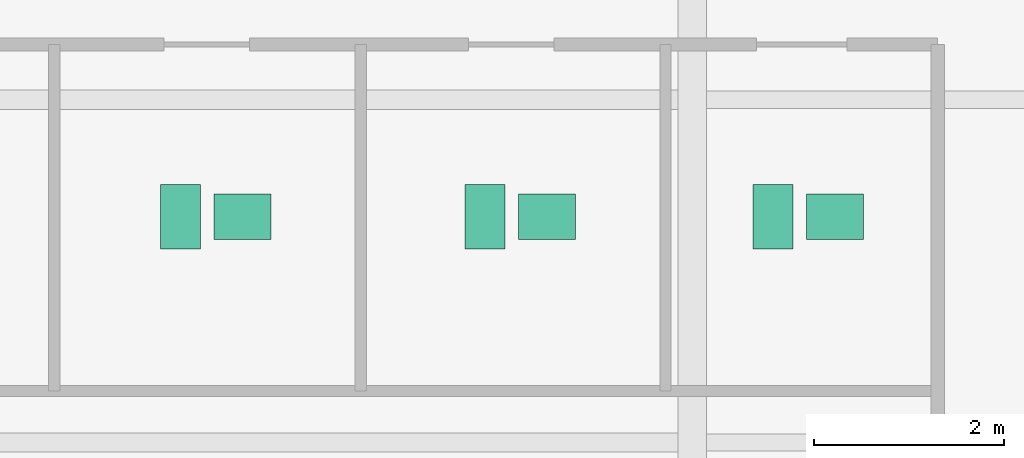
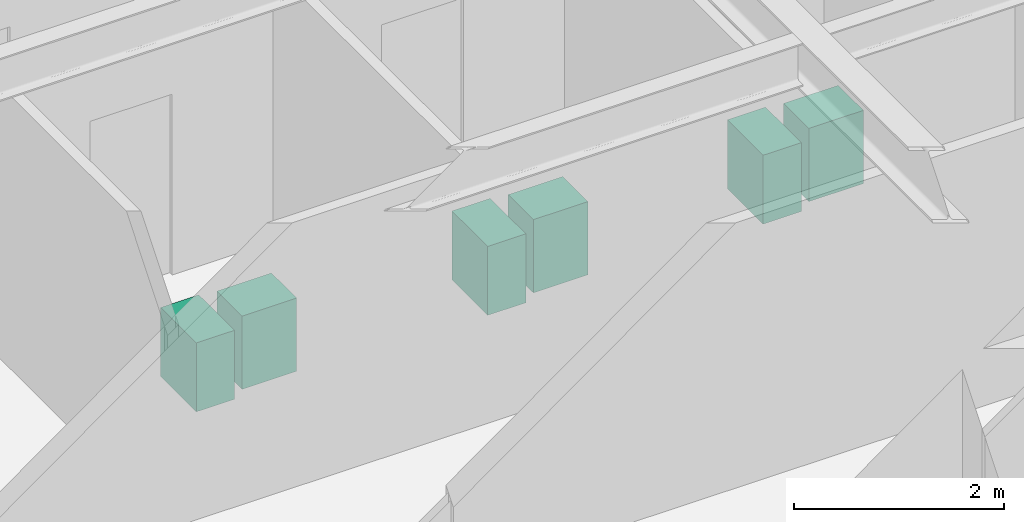
# One storey, part 26 of 26: 6 sanitary terminals.
"""IFC4 building model written with IfcOpenShell, lengths in metres."""

from ifc_helpers import new_model, si_unit, direction, frame, origin, origin_2d, place, context, subcontext, project, spatial, rectangle, extrude, source, transform, mapped, material, type_object, type_shapes, element, save


model = new_model("IFC4")

# Units and contexts
model_context = context("Model", 3, precision=1e-05, world=origin(), true_north=direction((0.0, 1.0)))
body_context = subcontext(model_context, "Body", "Model", "MODEL_VIEW")
ifc_project = project(units=[si_unit("LENGTHUNIT", "METRE"), si_unit("AREAUNIT", "SQUARE_METRE"), si_unit("VOLUMEUNIT", "CUBIC_METRE"), si_unit("PLANEANGLEUNIT", "RADIAN"), si_unit("MASSUNIT", "GRAM", prefix="KILO")], contexts=[model_context])

# Site, building, storey
site_placement = place(None, origin())
site = spatial("IfcSite", under=ifc_project, at=site_placement, CompositionType="ELEMENT")
building_placement = place(site_placement, origin())
building = spatial("IfcBuilding", under=site, at=building_placement, Name="Krantzveldt Concourse Tower", CompositionType="ELEMENT")
storey_placement = place(building_placement, frame((0.0, 0.0, 94.0)))
storey = spatial("IfcBuildingStorey", under=building, at=storey_placement, Name="L22", CompositionType="ELEMENT", Elevation=94.0)

# Sanitary terminals
ifc_material = material(Name="Vitreous china", Category="ceramic")
sanitary_terminal_type_1 = type_object("IfcSanitaryTerminalType", Name="SAN-WC-SUITE", PredefinedType="TOILETPAN", material=ifc_material)
shared_shape_1 = source(origin(), body_context, "Body", "SweptSolid", [
    extrude(rectangle(XDim=0.419921875, YDim=0.679931640625, at=origin_2d()), origin(), (0.0, 0.0, 1.0), 0.800048828125),
])
type_shapes(sanitary_terminal_type_1, [shared_shape_1])
for number, where, z_axis, x_axis, name in (
    (1, (36.02490234375, 32.570068359375, 0.0), (0.0, 0.0, 1.0), (1.0, 0.0, 0.0), "WC-SP-L22-WCM"),
    (2, (39.22509765625, 32.570068359375, 0.0), (0.0, 0.0, 1.0), (1.0, 0.0, 0.0), "WC-SP-L22-WCF"),
    (3, (42.25, 32.570068359375, 0.0), (0.0, 0.0, 1.0), (1.0, 0.0, 0.0), "WC-SP-L22-WCA"),
):
    element("IfcSanitaryTerminal", number, at=place(storey_placement, frame(where, z_axis=z_axis, x_axis=x_axis)), inside=storey, type_object=sanitary_terminal_type_1, Name=name, PredefinedType="TOILETPAN", context=body_context, shape_type="MappedRepresentation", body=[
        mapped(shared_shape_1, transform((0.0, 0.0, 0.0), x_axis=(1.0, 0.0, 0.0), y_axis=(0.0, 1.0, 0.0), z_axis=(0.0, 0.0, 1.0), scale=1.0)),
    ])
sanitary_terminal_type_2 = type_object("IfcSanitaryTerminalType", Name="SAN-BASIN-600", PredefinedType="WASHHANDBASIN", material=ifc_material)
shared_shape_2 = source(origin(), body_context, "Body", "SweptSolid", [
    extrude(rectangle(XDim=0.60009765625, YDim=0.47998046875, at=origin_2d()), origin(), (0.0, 0.0, 1.0), 0.85009765625),
])
type_shapes(sanitary_terminal_type_2, [shared_shape_2])
for number, where, z_axis, x_axis, name in (
    (4, (36.675048828125, 32.570068359375, 0.0048828125), (0.0, 0.0, 1.0), (1.0, 0.0, 0.0), "BSN-SP-L22-WCM"),
    (5, (39.875, 32.570068359375, 0.0048828125), (0.0, 0.0, 1.0), (1.0, 0.0, 0.0), "BSN-SP-L22-WCF"),
    (6, (42.89990234375, 32.570068359375, 0.0048828125), (0.0, 0.0, 1.0), (1.0, 0.0, 0.0), "BSN-SP-L22-WCA"),
):
    element("IfcSanitaryTerminal", number, at=place(storey_placement, frame(where, z_axis=z_axis, x_axis=x_axis)), inside=storey, type_object=sanitary_terminal_type_2, Name=name, PredefinedType="WASHHANDBASIN", context=body_context, shape_type="MappedRepresentation", body=[
        mapped(shared_shape_2, transform((0.0, 0.0, 0.0), x_axis=(1.0, 0.0, 0.0), y_axis=(0.0, 1.0, 0.0), z_axis=(0.0, 0.0, 1.0), scale=1.0)),
    ])

save(model, "model.ifc")
